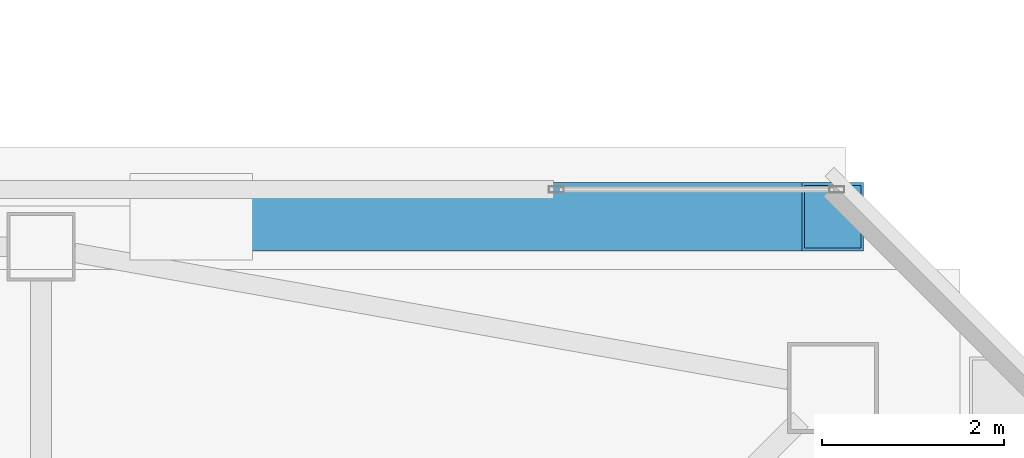
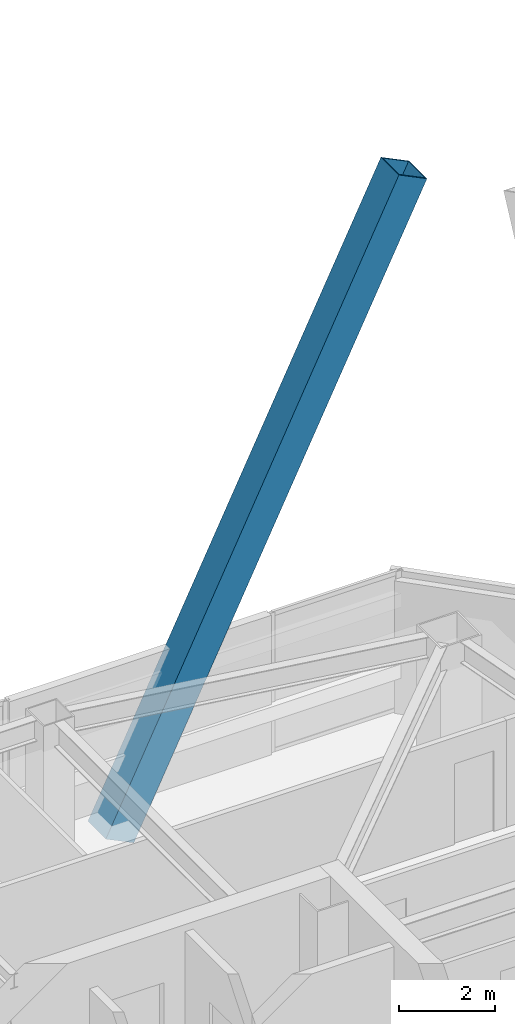
# One storey, part 24 of 56: 1 member.
"""IFC4 building model written with IfcOpenShell, lengths in metres."""

from ifc_helpers import new_model, si_unit, direction, frame, origin, origin_2d, place, context, subcontext, project, spatial, hollow_rectangle, extrude, material, material_profile, profile_set, type_object, element, save


model = new_model("IFC4")

# Units and contexts
model_context = context("Model", 3, precision=1e-05, world=origin(), true_north=direction((0.0, 1.0)))
body_context = subcontext(model_context, "Body", "Model", "MODEL_VIEW")
ifc_project = project(units=[si_unit("LENGTHUNIT", "METRE"), si_unit("AREAUNIT", "SQUARE_METRE"), si_unit("VOLUMEUNIT", "CUBIC_METRE"), si_unit("PLANEANGLEUNIT", "RADIAN"), si_unit("MASSUNIT", "GRAM", prefix="KILO")], contexts=[model_context])

# Site, building, storey
site_placement = place(None, origin())
site = spatial("IfcSite", under=ifc_project, at=site_placement, CompositionType="ELEMENT")
building_placement = place(site_placement, origin())
building = spatial("IfcBuilding", under=site, at=building_placement, Name="Tashvorn Skyway Center", CompositionType="ELEMENT")
storey_placement = place(building_placement, frame((0.0, 0.0, 218.39990234375)))
storey = spatial("IfcBuildingStorey", under=building, at=storey_placement, Name="L59", CompositionType="ELEMENT", Elevation=218.39990234375)

# Member
ifc_material = material(Name="Steel ASTM A572 Grade 50", Category="steel")
ifc_material_profile = material_profile(ifc_material, hollow_rectangle(XDim=0.75, YDim=0.75, WallThickness=0.031982421875, at=origin_2d()), Name="BOX750x750x32")
ifc_profile_set = profile_set([ifc_material_profile], Name="Steel ASTM A572 Grade 50")
member_type = type_object("IfcMemberType", Name="MEM-MB-750", PredefinedType="BRACE", material=ifc_profile_set)
member_placement = place(storey_placement, frame((49.050048828125, 47.97998046875, -0.449951171875), z_axis=(0.439219679919, 0.0, 0.898379692987), x_axis=(0.0, 1.0, 0.0)))
element("IfcMember", 1, at=member_placement, inside=storey, type_object=member_type, Name="Tower 1 Zone 5 N Chevron Mega-Brace L2", PredefinedType="BRACE", context=body_context, shape_type="SweptSolid", body=[
    extrude(hollow_rectangle(XDim=0.75, YDim=0.75, WallThickness=0.031982421875, at=origin_2d()), origin(), (0.0, 0.0, 1.0), 16.05126953125),
])

save(model, "model.ifc")
